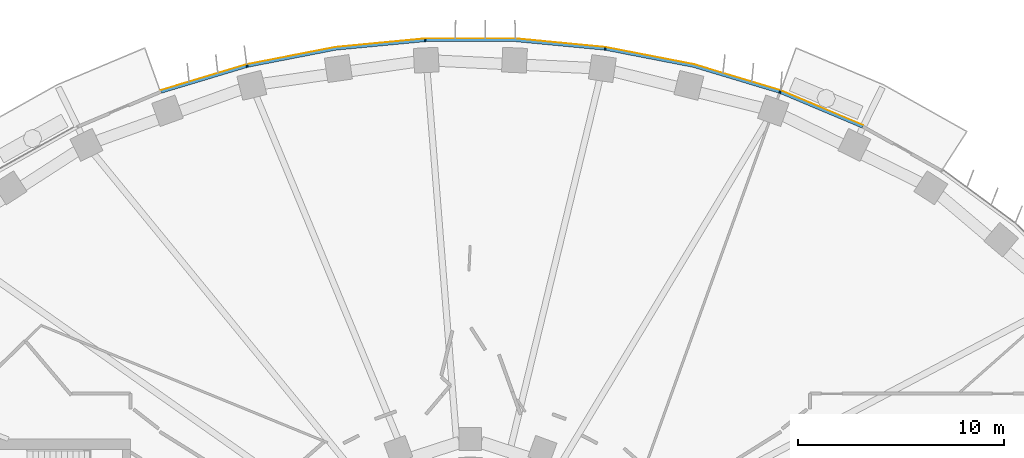
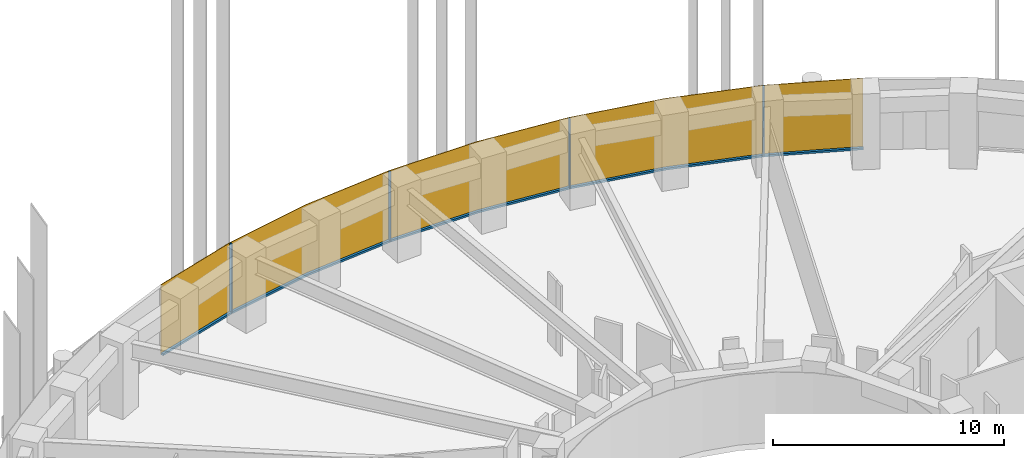
# One storey, part 13 of 19: 9 members, 1 curtain wall.
"""IFC4 building model written with IfcOpenShell, lengths in metres."""

from ifc_helpers import new_model, si_unit, direction, frame, origin, origin_2d, place, context, subcontext, project, spatial, polyline, rectangle, outline, extrude, material, layer, layer_set, material_profile, profile_set, type_object, element, aggregate, save


model = new_model("IFC4")

# Units and contexts
model_context = context("Model", 3, precision=1e-05, world=origin(), true_north=direction((0.0, 1.0)))
body_context = subcontext(model_context, "Body", "Model", "MODEL_VIEW")
ifc_project = project(units=[si_unit("LENGTHUNIT", "METRE"), si_unit("AREAUNIT", "SQUARE_METRE"), si_unit("VOLUMEUNIT", "CUBIC_METRE"), si_unit("PLANEANGLEUNIT", "RADIAN"), si_unit("MASSUNIT", "GRAM", prefix="KILO")], contexts=[model_context])

# Member
ifc_material_1 = material(Name="Aluminium 6063-T6 black anodised", Category="aluminium")
ifc_material_profile = material_profile(ifc_material_1, rectangle(XDim=0.1201171875, YDim=0.06005859375, at=origin_2d()), Name="120x60")
ifc_profile_set = profile_set([ifc_material_profile], Name="Aluminium 6063-T6 black anodised")
member_type_1 = type_object("IfcMemberType", Name="ENV-MULLION-A-120", PredefinedType="MULLION", material=ifc_profile_set)
site_placement = place(None, origin())
building_placement = place(site_placement, origin())
storey_placement = place(building_placement, frame((0.0, 0.0, 146.0)))
member_1_placement = place(storey_placement, frame((15.0341796875, 25.34375, 0.0), z_axis=(0.0, 0.0, 1.0), x_axis=(-0.338379256581, -0.941009818608, 0.0)))
member_1 = element("IfcMember", 1, at=member_1_placement, type_object=member_type_1, Name="Mullion A radial 09", PredefinedType="MULLION", context=body_context, shape_type="SweptSolid", body=[
    extrude(rectangle(XDim=0.1201171875, YDim=0.06005859375, at=origin_2d()), origin(), (0.0, 0.0, 1.0), 3.699951171875),
])

member_2_placement = place(storey_placement, frame((6.54638671875, 27.440185546875, 0.0), z_axis=(0.0, 0.0, 1.0), x_axis=(-0.143082012705, -0.989710835366, 0.0)))
member_2 = element("IfcMember", 2, at=member_2_placement, type_object=member_type_1, Name="Mullion A radial 11", PredefinedType="MULLION", context=body_context, shape_type="SweptSolid", body=[
    extrude(rectangle(XDim=0.1201171875, YDim=0.06005859375, at=origin_2d()), origin(), (0.0, 0.0, 1.0), 3.699951171875),
])

member_3_placement = place(storey_placement, frame((-2.188720703125, 27.856201171875, 0.0), z_axis=(0.0, 0.0, 1.0), x_axis=(0.047557873581, -0.998868484166, 0.0)))
member_3 = element("IfcMember", 3, at=member_3_placement, type_object=member_type_1, Name="Mullion A radial 13", PredefinedType="MULLION", context=body_context, shape_type="SweptSolid", body=[
    extrude(rectangle(XDim=0.1201171875, YDim=0.06005859375, at=origin_2d()), origin(), (0.0, 0.0, 1.0), 3.699951171875),
])

member_4_placement = place(storey_placement, frame((-10.84326171875, 26.60498046875, 0.0), z_axis=(0.0, 0.0, 1.0), x_axis=(0.239799081534, -0.970822538106, 0.0)))
member_4 = element("IfcMember", 4, at=member_4_placement, type_object=member_type_1, Name="Mullion A radial 15", PredefinedType="MULLION", context=body_context, shape_type="SweptSolid", body=[
    extrude(rectangle(XDim=0.1201171875, YDim=0.06005859375, at=origin_2d()), origin(), (0.0, 0.0, 1.0), 3.699951171875),
])

ifc_material_2 = material(Name="Aluminium 6063-T6 black anodised", Category="aluminium")
member_type_2 = type_object("IfcMemberType", Name="ENV-TRANSOM-A", PredefinedType="USERDEFINED", material=ifc_material_2)
member_5_placement = place(storey_placement, origin())
member_5 = element("IfcMember", 5, at=member_5_placement, type_object=member_type_2, Name="Transom A radial 08-09", ObjectType="TRANSOM", PredefinedType="USERDEFINED", context=body_context, shape_type="SweptSolid", body=[
    extrude(outline(polyline([(19.07568359375, 23.709228515625), (15.080322265625, 25.389404296875), (15.03955078125, 25.276123046875), (19.02294921875, 23.601318359375), (19.07568359375, 23.709228515625)])), origin(), (0.0, 0.0, 1.0), 0.10009765625),
])

member_6_placement = place(storey_placement, origin())
member_6 = element("IfcMember", 6, at=member_6_placement, type_object=member_type_2, Name="Transom A radial 09-11", ObjectType="TRANSOM", PredefinedType="USERDEFINED", context=body_context, shape_type="SweptSolid", body=[
    extrude(outline(polyline([(15.027587890625, 25.408203125), (10.857666015625, 26.6630859375), (6.58251953125, 27.494140625), (6.5654296875, 27.375244140625), (10.828857421875, 26.54638671875), (14.987060546875, 25.295166015625), (15.027587890625, 25.408203125)])), origin(), (0.0, 0.0, 1.0), 0.10009765625),
])

member_7_placement = place(storey_placement, origin())
member_7 = element("IfcMember", 7, at=member_7_placement, type_object=member_type_2, Name="Transom A radial 11-13", ObjectType="TRANSOM", PredefinedType="USERDEFINED", context=body_context, shape_type="SweptSolid", body=[
    extrude(outline(polyline([(6.527099609375, 27.502197265625), (2.191650390625, 27.916015625), (-2.163818359375, 27.916015625), (-2.157958984375, 27.7958984375), (2.185791015625, 27.7958984375), (6.510009765625, 27.38330078125), (6.527099609375, 27.502197265625)])), origin(), (0.0, 0.0, 1.0), 0.10009765625),
])

member_8_placement = place(storey_placement, origin())
member_8 = element("IfcMember", 8, at=member_8_placement, type_object=member_type_2, Name="Transom A radial 13-15", ObjectType="TRANSOM", PredefinedType="USERDEFINED", context=body_context, shape_type="SweptSolid", body=[
    extrude(outline(polyline([(-2.219482421875, 27.913330078125), (-6.55517578125, 27.49951171875), (-10.830078125, 26.66845703125), (-10.80126953125, 26.552001953125), (-6.537841796875, 27.380615234375), (-2.2138671875, 27.793212890625), (-2.219482421875, 27.913330078125)])), origin(), (0.0, 0.0, 1.0), 0.10009765625),
])

member_9_placement = place(storey_placement, origin())
member_9 = element("IfcMember", 9, at=member_9_placement, type_object=member_type_2, Name="Transom A radial 15-16", ObjectType="TRANSOM", PredefinedType="USERDEFINED", context=body_context, shape_type="SweptSolid", body=[
    extrude(outline(polyline([(-10.884521484375, 26.655029296875), (-15.035400390625, 25.406005859375), (-14.99462890625, 25.292724609375), (-10.855712890625, 26.53857421875), (-10.884521484375, 26.655029296875)])), origin(), (0.0, 0.0, 1.0), 0.10009765625),
])

# Site, building, storey
site = spatial("IfcSite", under=ifc_project, at=site_placement, CompositionType="ELEMENT")
building = spatial("IfcBuilding", under=site, at=building_placement, Name="Noorbagh Ring Tower", CompositionType="ELEMENT")
storey = spatial("IfcBuildingStorey", under=building, at=storey_placement, Name="L33", CompositionType="ELEMENT", Elevation=146.0)

# Curtain wall
ifc_material_3 = material(Name="Glass dark tinted laminated", Category="glass")
ifc_layer = layer(ifc_material_3, 0.031982421875)
ifc_layer_set = layer_set([ifc_layer], Name="Glass dark tinted laminated")
curtain_wall_type = type_object("IfcCurtainWallType", Name="ENV-CW-A", PredefinedType="NOTDEFINED", material=ifc_layer_set)
curtain_wall_placement = place(storey_placement, origin())
curtain_wall = element("IfcCurtainWall", 10, at=curtain_wall_placement, inside=storey, type_object=curtain_wall_type, Name="Curtain wall A R08", PredefinedType="NOTDEFINED", context=body_context, shape_type="SweptSolid", body=[
    extrude(outline(polyline([(19.08984375, 23.738037109375), (15.065185546875, 25.430419921875), (10.865234375, 26.6943359375), (6.559814453125, 27.53125), (2.193115234375, 27.947998046875), (-2.193115234375, 27.947998046875), (-6.559814453125, 27.53125), (-10.865234375, 26.6943359375), (-15.046142578125, 25.43603515625), (-15.035400390625, 25.406005859375), (-10.857666015625, 26.6630859375), (-6.55517578125, 27.49951171875), (-2.191650390625, 27.916015625), (2.191650390625, 27.916015625), (6.55517578125, 27.49951171875), (10.857666015625, 26.6630859375), (15.054443359375, 25.400146484375), (19.07568359375, 23.709228515625), (19.08984375, 23.738037109375)])), origin(), (0.0, 0.0, 1.0), 3.699951171875),
])

aggregate(curtain_wall, [member_1, member_2, member_3, member_4, member_5, member_6, member_7, member_8, member_9])

save(model, "model.ifc")
